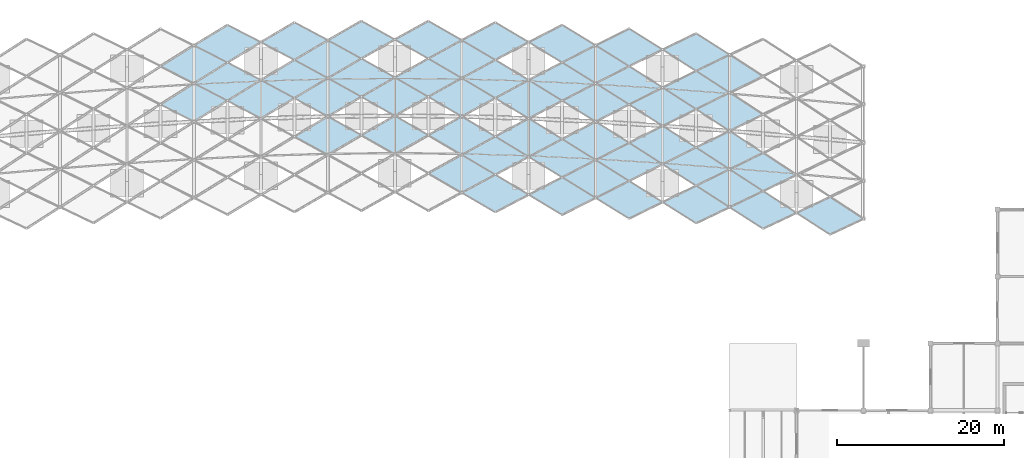
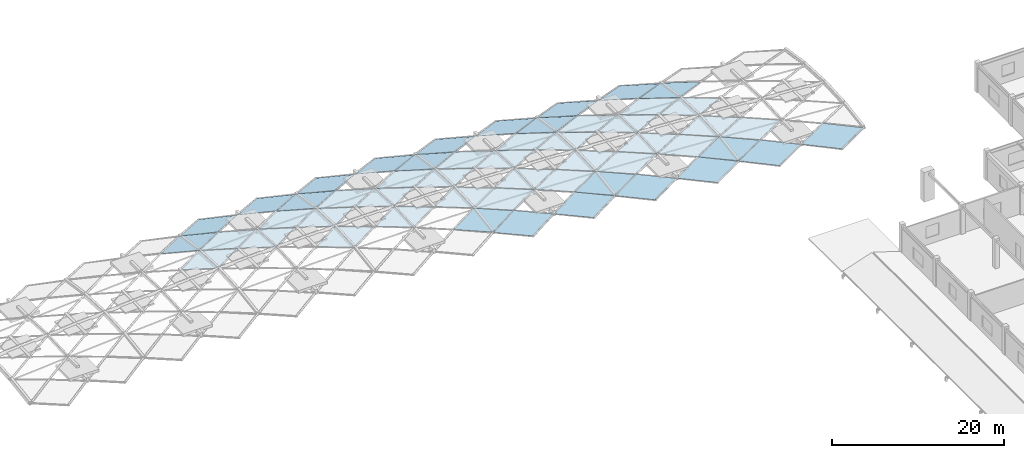
# One storey, part 12 of 27: 51 plates.
"""IFC4 building model written with IfcOpenShell, lengths in metres."""

from ifc_helpers import new_model, si_unit, direction, frame, origin, place, context, subcontext, project, spatial, polyline, outline, extrude, material, layer, layer_set, type_object, element, save


model = new_model("IFC4")

# Units and contexts
model_context = context("Model", 3, precision=1e-05, world=origin(), true_north=direction((0.0, 1.0)))
body_context = subcontext(model_context, "Body", "Model", "MODEL_VIEW")
ifc_project = project(units=[si_unit("LENGTHUNIT", "METRE"), si_unit("AREAUNIT", "SQUARE_METRE"), si_unit("VOLUMEUNIT", "CUBIC_METRE"), si_unit("PLANEANGLEUNIT", "RADIAN"), si_unit("MASSUNIT", "GRAM", prefix="KILO")], contexts=[model_context])

# Site, building, storey
site_placement = place(None, origin())
site = spatial("IfcSite", under=ifc_project, at=site_placement, CompositionType="ELEMENT")
building_placement = place(site_placement, origin())
building = spatial("IfcBuilding", under=site, at=building_placement, Name="Kenh Van Central Station", CompositionType="ELEMENT")
storey_placement = place(building_placement, frame((0.0, 0.0, 19.199951171875)))
storey = spatial("IfcBuildingStorey", under=building, at=storey_placement, Name="L04", CompositionType="ELEMENT", Elevation=19.199951171875)

# Plates
ifc_material = material(Name="Double-glazed low-E laminated solar glass", Category="glass")
ifc_layer_1 = layer(ifc_material, 0.02490234375, Name="Double-glazed low-E laminated solar glass")
ifc_layer_set_1 = layer_set([ifc_layer_1], Name="Double-glazed low-E laminated solar glass")
plate_type_1 = type_object("IfcPlateType", Name="PLT-VAULT-GLZ2", PredefinedType="SHEET", material=ifc_layer_set_1)
plate_1_placement = place(storey_placement, frame((64.01220703125, 99.609130859375, 1.05126953125), z_axis=(-0.009808272955, 0.205803646398, 0.978544151743), x_axis=(0.88678002434, -0.450426453913, 0.103620451871)))
element("IfcPlate", 1, at=plate_1_placement, inside=storey, type_object=plate_type_1, Name="Vault planar diamond skylight pane 083", PredefinedType="SHEET", context=body_context, shape_type="SweptSolid", body=[
    extrude(outline(polyline([(0.0, 0.0), (4.49666197310499, 9.71445146547012e-17), (6.9018040543117305, 4.015888100954346), (2.3889673764537314, 4.044820305833133), (0.0, 0.0)])), origin(), (0.0, 0.0, -1.0), 0.02490234375),
])
plate_2_placement = place(storey_placement, frame((72.011962890625, 95.4609375, 1.746337890625), z_axis=(-0.002935573374, 0.099280726848, 0.995055133993), x_axis=(0.880728913548, -0.471017044718, 0.049593592576)))
element("IfcPlate", 2, at=plate_2_placement, inside=storey, type_object=plate_type_1, Name="Vault planar diamond skylight pane 099", PredefinedType="SHEET", context=body_context, shape_type="SweptSolid", body=[
    extrude(outline(polyline([(0.0, 0.0), (4.528109817051521, -1.1102230246251565e-16), (6.913674594831491, 3.984279605109319), (2.367674023684448, 4.017549829738628), (0.0, 0.0)])), origin(), (0.0, 0.0, -1.0), 0.02490234375),
])
plate_3_placement = place(storey_placement, frame((76.011962890625, 93.312255859375, 1.916015625), z_axis=(-0.000982158633, 0.049288974702, 0.998784076934), x_axis=(0.877269674565, -0.479371181442, 0.024519145413)))
element("IfcPlate", 3, at=plate_3_placement, inside=storey, type_object=plate_type_1, Name="Vault planar diamond skylight pane 108", PredefinedType="SHEET", context=body_context, shape_type="SweptSolid", body=[
    extrude(outline(polyline([(0.0, 0.0), (4.545964977788539, 4.597017211338539e-17), (6.920978913310522, 3.9677539405285693), (2.356246595910517, 4.002054651598261), (0.0, 0.0)])), origin(), (0.0, 0.0, -1.0), 0.02490234375),
])
plate_4_placement = place(storey_placement, frame((84.011962890625, 88.888427734375, 1.9150390625), z_axis=(0.0, -0.04907807121, 0.998794945385), x_axis=(0.869939117834, -0.492564850122, -0.024203299087)))
element("IfcPlate", 4, at=plate_4_placement, inside=storey, type_object=plate_type_1, Name="Vault planar diamond skylight pane 125", PredefinedType="SHEET", context=body_context, shape_type="SweptSolid", body=[
    extrude(outline(polyline([(0.0, 0.0), (4.584271505463959, -1.0321604682062002e-16), (6.93869896963813, 3.9334738529385422), (2.3346524482777475, 3.9683572378433594), (0.0, 0.0)])), origin(), (0.0, 0.0, -1.0), 0.02490234375),
])
plate_5_placement = place(storey_placement, frame((88.011962890625, 100.306640625, 1.051513671875), z_axis=(0.002066835387, 0.205864366135, 0.978578351972), x_axis=(0.86623221459, -0.489304953108, 0.101105950714)))
element("IfcPlate", 5, at=plate_5_placement, inside=storey, type_object=plate_type_1, Name="Vault planar diamond skylight pane 136", PredefinedType="SHEET", context=body_context, shape_type="SweptSolid", body=[
    extrude(outline(polyline([(0.0, 0.0), (4.603888934490568, -1.3877787807814457e-17), (6.948315057442247, 3.9172809845137824), (2.3250005948492056, 3.9509586398749534), (0.0, 0.0)])), origin(), (0.0, 0.0, -1.0), 0.02490234375),
])
plate_6_placement = place(storey_placement, frame((92.01220703125, 84.32861328125, 1.45703125), z_axis=(-0.003007610102, -0.150930283299, 0.988539834233), x_axis=(0.862481319855, -0.500676244274, -0.073819179897)))
element("IfcPlate", 6, at=plate_6_placement, inside=storey, type_object=plate_type_1, Name="Vault planar diamond skylight pane 143", PredefinedType="SHEET", context=body_context, shape_type="SweptSolid", body=[
    extrude(outline(polyline([(0.0, 0.0), (4.623628232474481, 3.3306690738754696e-16), (6.9585797054143095, 3.9009350707977686), (2.315117412395802, 3.93425468590285), (0.0, 0.0)])), origin(), (0.0, 0.0, -1.0), 0.02490234375),
])
plate_7_placement = place(storey_placement, frame((92.011962890625, 98.03125, 1.4599609375), z_axis=(0.003016564729, 0.151147474148, 0.988506621827), x_axis=(0.862488112042, -0.500649701411, 0.073919774506)))
element("IfcPlate", 7, at=plate_7_placement, inside=storey, type_object=plate_type_1, Name="Vault planar diamond skylight pane 146", PredefinedType="SHEET", context=body_context, shape_type="SweptSolid", body=[
    extrude(outline(polyline([(0.0, 0.0), (4.623874868968817, 7.494005416219807e-16), (6.958751889069879, 3.9006378650680245), (2.315464522640714, 3.9342048385183674), (0.0, 0.0)])), origin(), (0.0, 0.0, -1.0), 0.02490234375),
])
plate_8_placement = place(storey_placement, frame((96.01220703125, 82.013671875, 1.047607421875), z_axis=(-0.00608386118, -0.205542652284, 0.978629247839), x_axis=(0.858901962733, -0.502252496011, -0.100149132119)))
element("IfcPlate", 8, at=plate_8_placement, inside=storey, type_object=plate_type_1, Name="Vault planar diamond skylight pane 153", PredefinedType="SHEET", context=body_context, shape_type="SweptSolid", body=[
    extrude(outline(polyline([(0.0, 0.0), (4.642613108953388, 4.579669976578771e-16), (6.96923957180748, 3.886282977530008), (2.3068574810453977, 3.9175352712247298), (0.0, 0.0)])), origin(), (0.0, 0.0, -1.0), 0.02490234375),
])
plate_9_placement = place(storey_placement, frame((96.011962890625, 95.69677734375, 1.746337890625), z_axis=(0.002935573374, 0.099280726848, 0.995055133993), x_axis=(0.858776960702, -0.510062432614, 0.048357487564)))
element("IfcPlate", 9, at=plate_9_placement, inside=storey, type_object=plate_type_1, Name="Vault planar diamond skylight pane 155", PredefinedType="SHEET", context=body_context, shape_type="SweptSolid", body=[
    extrude(outline(polyline([(0.0, 0.0), (4.6438565094837365, -1.6306400674181987e-16), (6.969961820321322, 3.8849726637611663), (2.306751068421566, 3.9174133824568593), (0.0, 0.0)])), origin(), (0.0, 0.0, -1.0), 0.02490234375),
])
plate_10_placement = place(storey_placement, frame((100.011962890625, 93.3115234375, 1.916015625), z_axis=(0.001916138942, 0.049291542711, 0.998782595077), x_axis=(0.855138620731, -0.517847431096, 0.023916049872)))
element("IfcPlate", 10, at=plate_10_placement, inside=storey, type_object=plate_type_1, Name="Vault planar diamond skylight pane 164", PredefinedType="SHEET", context=body_context, shape_type="SweptSolid", body=[
    extrude(outline(polyline([(0.0, 0.0), (4.663614695516297, -2.0209528495129803e-16), (6.981212152533948, 3.869957771846996), (2.298845300730718, 3.900890794733042), (0.0, 0.0)])), origin(), (0.0, 0.0, -1.0), 0.02490234375),
])
plate_11_placement = place(storey_placement, frame((108.011962890625, 88.41748046875, 1.915283203125), z_axis=(-0.002744554058, -0.049131277296, 0.998788558712), x_axis=(0.848468715874, -0.528715672144, -0.02367649072)))
element("IfcPlate", 11, at=plate_11_placement, inside=storey, type_object=plate_type_1, Name="Vault planar diamond skylight pane 182", PredefinedType="SHEET", context=body_context, shape_type="SweptSolid", body=[
    extrude(outline(polyline([(0.0, 0.0), (4.700275825273516, -7.37257477290143e-17), (7.003022228822424, 3.843690976864877), (2.286060275460306, 3.87044154111161), (0.0, 0.0)])), origin(), (0.0, 0.0, -1.0), 0.02490234375),
])
plate_12_placement = place(storey_placement, frame((112.01220703125, 85.923828125, 1.744873046875), z_axis=(-0.006277310408, -0.099120217986, 0.995055665659), x_axis=(0.845520845249, -0.531812750564, -0.047641353743)))
element("IfcPlate", 12, at=plate_12_placement, inside=storey, type_object=plate_type_1, Name="Vault planar diamond skylight pane 192", PredefinedType="SHEET", context=body_context, shape_type="SweptSolid", body=[
    extrude(outline(polyline([(0.0, 0.0), (4.716084482128433, -3.5388358909926865e-16), (7.012569969533845, 3.8336373855874593), (2.2806122053660354, 3.856941972283447), (0.0, 0.0)])), origin(), (0.0, 0.0, -1.0), 0.02490234375),
])
plate_13_placement = place(storey_placement, frame((112.011474609375, 99.607666015625, 1.051025390625), z_axis=(0.013033120909, 0.205796065779, 0.97850810782), x_axis=(0.845968042574, -0.523975553597, 0.098932755832)))
element("IfcPlate", 13, at=plate_13_placement, inside=storey, type_object=plate_type_1, Name="Vault planar diamond skylight pane 194", PredefinedType="SHEET", context=body_context, shape_type="SweptSolid", body=[
    extrude(outline(polyline([(0.0, 0.0), (4.71532347324474, -4.163336342344337e-17), (7.012178069161908, 3.834354170932381), (2.2837518138144426, 3.858809024075736), (0.0, 0.0)])), origin(), (0.0, 0.0, -1.0), 0.02490234375),
])
plate_14_placement = place(storey_placement, frame((120.012451171875, 80.88818359375, 1.048583984375), z_axis=(-0.01559256863, -0.205572726847, 0.97851761649), x_axis=(0.840830830294, -0.532274435581, -0.098424793895)))
element("IfcPlate", 14, at=plate_14_placement, inside=storey, type_object=plate_type_1, Name="Vault planar diamond skylight pane 209", PredefinedType="SHEET", context=body_context, shape_type="SweptSolid", body=[
    extrude(outline(polyline([(0.0, 0.0), (4.741808986939035, 6.800116025829084e-16), (7.028544745382064, 3.8188113429101964), (2.2736392752489434, 3.835548598592623), (0.0, 0.0)])), origin(), (0.0, 0.0, -1.0), 0.02490234375),
])
plate_15_placement = place(storey_placement, frame((120.01171875, 94.57177734375, 1.74609375), z_axis=(0.007530202815, 0.099278339774, 0.995031209208), x_axis=(0.840471963826, -0.53976953556, 0.047494489184)))
element("IfcPlate", 15, at=plate_15_placement, inside=storey, type_object=plate_type_1, Name="Vault planar diamond skylight pane 211", PredefinedType="SHEET", context=body_context, shape_type="SweptSolid", body=[
    extrude(outline(polyline([(0.0, 0.0), (4.745578577550547, -2.671474153004283e-16), (7.030216788897189, 3.8157323296695607), (2.2740215749683323, 3.8340051427562414), (0.0, 0.0)])), origin(), (0.0, 0.0, -1.0), 0.02490234375),
])
plate_16_placement = place(storey_placement, frame((124.011962890625, 91.9931640625, 1.915771484375), z_axis=(0.003974295141, 0.049237854474, 0.998779174125), x_axis=(0.838299963256, -0.544701865107, 0.02351700987)))
element("IfcPlate", 16, at=plate_16_placement, inside=storey, type_object=plate_type_1, Name="Vault planar diamond skylight pane 221", PredefinedType="SHEET", context=body_context, shape_type="SweptSolid", body=[
    extrude(outline(polyline([(0.0, 0.0), (4.757291573867168, 3.434752482434078e-16), (7.037021146941673, 3.809536750262325), (2.270264753625754, 3.824090891466413), (0.0, 0.0)])), origin(), (0.0, 0.0, -1.0), 0.02490234375),
])
ifc_layer_2 = layer(ifc_material, 0.029052734375, Name="Double-glazed low-E laminated solar glass")
ifc_layer_set_2 = layer_set([ifc_layer_2], Name="Double-glazed low-E laminated solar glass")
plate_type_2 = type_object("IfcPlateType", Name="PLT-VAULT-GLZ4", PredefinedType="SHEET", material=ifc_layer_set_2)
plate_17_placement = place(storey_placement, frame((60.011962890625, 92.554931640625, 1.916015625), z_axis=(-0.002753501364, 0.049291446341, 0.998780642357), x_axis=(0.890048108625, -0.455185088065, 0.024917863813)))
element("IfcPlate", 17, at=plate_17_placement, inside=storey, type_object=plate_type_2, Name="Vault planar diamond skylight pane 072", PredefinedType="SHEET", context=body_context, shape_type="SweptSolid", body=[
    extrude(outline(polyline([(0.0, 0.0), (4.4806981308204685, 1.6653345369377348e-16), (6.896279033947815, 4.032073430500151), (2.4012026557135138, 4.060145545661785), (0.0, 0.0)])), origin(), (0.0, 0.0, -1.0), 0.029052734375),
])
plate_18_placement = place(storey_placement, frame((72.01220703125, 99.990234375, 1.051513671875), z_axis=(-0.006085466927, 0.205809735524, 0.978573103992), x_axis=(0.880502991343, -0.46275950018, 0.10280139702)))
element("IfcPlate", 18, at=plate_18_placement, inside=storey, type_object=plate_type_2, Name="Vault planar diamond skylight pane 100", PredefinedType="SHEET", context=body_context, shape_type="SweptSolid", body=[
    extrude(outline(polyline([(0.0, 0.0), (4.5287170828287975, -5.551115123125783e-17), (6.913820080566924, 3.984027142033299), (2.3667442913661496, 4.0160704013012705), (0.0, 0.0)])), origin(), (0.0, 0.0, -1.0), 0.029052734375),
])
plate_19_placement = place(storey_placement, frame((76.01220703125, 97.8720703125, 1.4599609375), z_axis=(-0.003016564729, 0.151147474148, 0.988506621827), x_axis=(0.877198355412, -0.474204853019, 0.075185122427)))
element("IfcPlate", 19, at=plate_19_placement, inside=storey, type_object=plate_type_2, Name="Vault planar diamond skylight pane 109", PredefinedType="SHEET", context=body_context, shape_type="SweptSolid", body=[
    extrude(outline(polyline([(0.0, 0.0), (4.546056142789974, -1.249000902703301e-16), (6.920901247266037, 3.9674084152791056), (2.3560140978311104, 4.001305022085715), (0.0, 0.0)])), origin(), (0.0, 0.0, -1.0), 0.029052734375),
])
plate_20_placement = place(storey_placement, frame((80.011962890625, 95.697265625, 1.746337890625), z_axis=(-0.000997293669, 0.099334098107, 0.99505363793), x_axis=(0.873642815637, -0.48407398313, 0.049199690463)))
element("IfcPlate", 20, at=plate_20_placement, inside=storey, type_object=plate_type_2, Name="Vault planar diamond skylight pane 118", PredefinedType="SHEET", context=body_context, shape_type="SweptSolid", body=[
    extrude(outline(polyline([(0.0, 0.0), (4.564837092278807, 1.5959455978986625e-16), (6.929476201271955, 3.950510349957021), (2.345301418486686, 3.985231741981312), (0.0, 0.0)])), origin(), (0.0, 0.0, -1.0), 0.029052734375),
])
plate_21_placement = place(storey_placement, frame((84.011962890625, 93.471435546875, 1.916015625), z_axis=(0.0, 0.0492916332, 0.998784428641), x_axis=(0.869935746334, -0.492565603786, 0.024308912286)))
element("IfcPlate", 21, at=plate_21_placement, inside=storey, type_object=plate_type_2, Name="Vault planar diamond skylight pane 126", PredefinedType="SHEET", context=body_context, shape_type="SweptSolid", body=[
    extrude(outline(polyline([(0.0, 0.0), (4.584289272144528, -1.1709383462843448e-16), (6.9386720783054, 3.9335212892208244), (2.334619397614251, 3.968383643069111), (0.0, 0.0)])), origin(), (0.0, 0.0, -1.0), 0.029052734375),
])
plate_22_placement = place(storey_placement, frame((92.011962890625, 88.88818359375, 1.9150390625), z_axis=(-0.000977903314, -0.049075424379, 0.998794596715), x_axis=(0.862419958348, -0.505624217767, -0.023999288549)))
element("IfcPlate", 22, at=plate_22_placement, inside=storey, type_object=plate_type_2, Name="Vault planar diamond skylight pane 144", PredefinedType="SHEET", context=body_context, shape_type="SweptSolid", body=[
    extrude(outline(polyline([(0.0, 0.0), (4.624240437052589, 4.570996359198887e-16), (6.959087257075578, 3.9005288102355045), (2.3150431412046957, 3.9342696478271773), (0.0, 0.0)])), origin(), (0.0, 0.0, -1.0), 0.029052734375),
])
plate_23_placement = place(storey_placement, frame((96.011962890625, 86.542236328125, 1.74462890625), z_axis=(-0.002933750298, -0.099116465617, 0.995071514693), x_axis=(0.858756040094, -0.510105147353, -0.04827838281)))
element("IfcPlate", 23, at=plate_23_placement, inside=storey, type_object=plate_type_2, Name="Vault planar diamond skylight pane 154", PredefinedType="SHEET", context=body_context, shape_type="SweptSolid", body=[
    extrude(outline(polyline([(0.0, 0.0), (4.64396923669369, 7.494005416219807e-16), (6.969929567223431, 3.885045356058457), (2.306616558544461, 3.917464160028084), (0.0, 0.0)])), origin(), (0.0, 0.0, -1.0), 0.029052734375),
])
plate_24_placement = place(storey_placement, frame((96.01171875, 100.22607421875, 1.051513671875), z_axis=(0.006085466927, 0.205809735524, 0.978573103992), x_axis=(0.858966052107, -0.502120287885, 0.100262344989)))
element("IfcPlate", 24, at=plate_24_placement, inside=storey, type_object=plate_type_2, Name="Vault planar diamond skylight pane 156", PredefinedType="SHEET", context=body_context, shape_type="SweptSolid", body=[
    extrude(outline(polyline([(0.0, 0.0), (4.643402693960262, -6.938893903907228e-17), (6.969596953228888, 3.885627193189159), (2.308131253630646, 3.917838066997382), (0.0, 0.0)])), origin(), (0.0, 0.0, -1.0), 0.029052734375),
])
plate_25_placement = place(storey_placement, frame((104.01220703125, 81.776611328125, 1.0478515625), z_axis=(-0.009791696311, -0.205587865352, 0.978589675146), x_axis=(0.852017392149, -0.513979703762, -0.09945465096)))
element("IfcPlate", 25, at=plate_25_placement, inside=storey, type_object=plate_type_2, Name="Vault planar diamond skylight pane 171", PredefinedType="SHEET", context=body_context, shape_type="SweptSolid", body=[
    extrude(outline(polyline([(0.0, 0.0), (4.6801276005504295, 4.3021142204224816e-16), (6.991006010875184, 3.8584849164080444), (2.2926529330184238, 3.8862912255469375), (0.0, 0.0)])), origin(), (0.0, 0.0, -1.0), 0.029052734375),
])
plate_26_placement = place(storey_placement, frame((104.011962890625, 95.4599609375, 1.746337890625), z_axis=(0.004734198612, 0.099333034329, 0.995042981813), x_axis=(0.851765994244, -0.521716279273, 0.048029313874)))
element("IfcPlate", 26, at=plate_26_placement, inside=storey, type_object=plate_type_2, Name="Vault planar diamond skylight pane 173", PredefinedType="SHEET", context=body_context, shape_type="SweptSolid", body=[
    extrude(outline(polyline([(0.0, 0.0), (4.682367522083065, -2.1510571102112408e-16), (6.991859256052545, 3.856457711315903), (2.2925014403484254, 3.885479475676788), (0.0, 0.0)])), origin(), (0.0, 0.0, -1.0), 0.029052734375),
])
plate_27_placement = place(storey_placement, frame((108.011962890625, 93.00048828125, 1.916015625), z_axis=(0.002753501364, 0.049291446341, 0.998780642357), x_axis=(0.848467740834, -0.528713770389, 0.023753773706)))
element("IfcPlate", 27, at=plate_27_placement, inside=storey, type_object=plate_type_2, Name="Vault planar diamond skylight pane 183", PredefinedType="SHEET", context=body_context, shape_type="SweptSolid", body=[
    extrude(outline(polyline([(0.0, 0.0), (4.70028161374388, 1.6740081543176188e-16), (7.003013604490954, 3.8437066899450145), (2.2860400100839446, 3.870467770451661), (0.0, 0.0)])), origin(), (0.0, 0.0, -1.0), 0.029052734375),
])
plate_28_placement = place(storey_placement, frame((116.011962890625, 87.970458984375, 1.915283203125), z_axis=(-0.003436913422, -0.049075157995, 0.998789175199), x_axis=(0.842749638528, -0.537791462834, -0.023524227181)))
element("IfcPlate", 28, at=plate_28_placement, inside=storey, type_object=plate_type_2, Name="Vault planar diamond skylight pane 201", PredefinedType="SHEET", context=body_context, shape_type="SweptSolid", body=[
    extrude(outline(polyline([(0.0, 0.0), (4.732172998419073, 2.445960101127298e-16), (7.022240614664583, 3.823339334966578), (2.2765153355307195, 3.844556574647212), (0.0, 0.0)])), origin(), (0.0, 0.0, -1.0), 0.029052734375),
])
plate_29_placement = place(storey_placement, frame((120.01220703125, 85.4169921875, 1.744873046875), z_axis=(-0.007521763782, -0.099167079399, 0.995042367657), x_axis=(0.840413575517, -0.5398642988, -0.047450616099)))
element("IfcPlate", 29, at=plate_29_placement, inside=storey, type_object=plate_type_2, Name="Vault planar diamond skylight pane 210", PredefinedType="SHEET", context=body_context, shape_type="SweptSolid", body=[
    extrude(outline(polyline([(0.0, 0.0), (4.744746245109748, 7.147060721024445e-16), (7.029808409316933, 3.816484644129245), (2.272670341979999, 3.833902000772849), (0.0, 0.0)])), origin(), (0.0, 0.0, -1.0), 0.029052734375),
])
plate_30_placement = place(storey_placement, frame((120.011474609375, 99.100830078125, 1.05078125), z_axis=(0.015604228944, 0.205726456664, 0.978485121536), x_axis=(0.840924615633, -0.532118379206, 0.098467361774)))
element("IfcPlate", 30, at=plate_30_placement, inside=storey, type_object=plate_type_2, Name="Vault planar diamond skylight pane 212", PredefinedType="SHEET", context=body_context, shape_type="SweptSolid", body=[
    extrude(outline(polyline([(0.0, 0.0), (4.743605293091253, -3.7470027081099033e-16), (7.0291983731418375, 3.8176080916717394), (2.2760201208071904, 3.8361038020991165), (0.0, 0.0)])), origin(), (0.0, 0.0, -1.0), 0.029052734375),
])
plate_31_placement = place(storey_placement, frame((124.012451171875, 82.850341796875, 1.4580078125), z_axis=(-0.012181922805, -0.150980052371, 0.988461746626), x_axis=(0.838527440662, -0.54006040327, -0.072156025926)))
element("IfcPlate", 31, at=plate_31_placement, inside=storey, type_object=plate_type_2, Name="Vault planar diamond skylight pane 219", PredefinedType="SHEET", context=body_context, shape_type="SweptSolid", body=[
    extrude(outline(polyline([(0.0, 0.0), (4.754833576047268, 7.840950111415168e-16), (7.035715505234113, 3.8119063351845277), (2.26998793710085, 3.825082846737526), (0.0, 0.0)])), origin(), (0.0, 0.0, -1.0), 0.029052734375),
])
plate_32_placement = place(storey_placement, frame((124.011474609375, 96.552978515625, 1.459228515625), z_axis=(0.012194611715, 0.15108462622, 0.988445611637), x_axis=(0.838634612614, -0.539891242937, 0.072176397292)))
element("IfcPlate", 32, at=plate_32_placement, inside=storey, type_object=plate_type_2, Name="Vault planar diamond skylight pane 222", PredefinedType="SHEET", context=body_context, shape_type="SweptSolid", body=[
    extrude(outline(polyline([(0.0, 0.0), (4.756266701339865, -1.734723475976807e-16), (7.036798006917683, 3.8104599868043687), (2.2721345393881895, 3.8256341765757234), (0.0, 0.0)])), origin(), (0.0, 0.0, -1.0), 0.029052734375),
])
plate_33_placement = place(storey_placement, frame((128.012451171875, 80.28125, 1.048828125), z_axis=(-0.017383430379, -0.205617911112, 0.978477946087), x_axis=(0.837174160667, -0.53804976931, -0.098193026513)))
element("IfcPlate", 33, at=plate_33_placement, inside=storey, type_object=plate_type_2, Name="Vault planar diamond skylight pane 229", PredefinedType="SHEET", context=body_context, shape_type="SweptSolid", body=[
    extrude(outline(polyline([(0.0, 0.0), (4.762524717361917, 4.85722573273506e-16), (7.040179026328111, 3.8089817321688626), (2.268769458532369, 3.8190230988324703), (0.0, 0.0)])), origin(), (0.0, 0.0, -1.0), 0.029052734375),
])
ifc_layer_3 = layer(ifc_material, 0.034912109375, Name="Double-glazed low-E laminated solar glass")
ifc_layer_set_3 = layer_set([ifc_layer_3], Name="Double-glazed low-E laminated solar glass")
plate_type_3 = type_object("IfcPlateType", Name="PLT-VAULT-GLZ6", PredefinedType="SHEET", material=ifc_layer_set_3)
plate_34_placement = place(storey_placement, frame((60.01220703125, 97.11474609375, 1.459716796875), z_axis=(-0.008440162991, 0.151090479406, 0.98848390512), x_axis=(0.889789764305, -0.449935260161, 0.076370393495)))
element("IfcPlate", 34, at=plate_34_placement, inside=storey, type_object=plate_type_3, Name="Vault planar diamond skylight pane 073", PredefinedType="SHEET", context=body_context, shape_type="SweptSolid", body=[
    extrude(outline(polyline([(0.0, 0.0), (4.4814508851897115, -1.1102230246251565e-16), (6.896557556162155, 4.031597020729645), (2.400042696530575, 4.058833502770175), (0.0, 0.0)])), origin(), (0.0, 0.0, -1.0), 0.034912109375),
])
plate_35_placement = place(storey_placement, frame((64.01220703125, 95.079833984375, 1.746337890625), z_axis=(-0.004734198612, 0.099333034329, 0.995042981813), x_axis=(0.887085795954, -0.458885364863, 0.050030116241)))
element("IfcPlate", 35, at=plate_35_placement, inside=storey, type_object=plate_type_3, Name="Vault planar diamond skylight pane 082", PredefinedType="SHEET", context=body_context, shape_type="SweptSolid", body=[
    extrude(outline(polyline([(0.0, 0.0), (4.495110471216614, 2.949029909160572e-16), (6.900810877669847, 4.017109802612949), (2.3895312233474137, 4.046596925253839), (0.0, 0.0)])), origin(), (0.0, 0.0, -1.0), 0.034912109375),
])
plate_36_placement = place(storey_placement, frame((68.011962890625, 93.00146484375, 1.916015625), z_axis=(-0.001916138942, 0.049291542711, 0.998782595077), x_axis=(0.884097446559, -0.466647974608, 0.024725953615)))
element("IfcPlate", 36, at=plate_36_placement, inside=storey, type_object=plate_type_3, Name="Vault planar diamond skylight pane 090", PredefinedType="SHEET", context=body_context, shape_type="SweptSolid", body=[
    extrude(outline(polyline([(0.0, 0.0), (4.51085702817698, 4.7704895589362195e-17), (6.906938635579826, 4.001011741909959), (2.379178047364456, 4.032992438092294), (0.0, 0.0)])), origin(), (0.0, 0.0, -1.0), 0.034912109375),
])
plate_37_placement = place(storey_placement, frame((76.011962890625, 88.729248046875, 1.9150390625), z_axis=(0.000977903314, -0.049075424379, 0.998794596715), x_axis=(0.877273078852, -0.479370388196, -0.02441262054)))
element("IfcPlate", 37, at=plate_37_placement, inside=storey, type_object=plate_type_3, Name="Vault planar diamond skylight pane 107", PredefinedType="SHEET", context=body_context, shape_type="SweptSolid", body=[
    extrude(outline(polyline([(0.0, 0.0), (4.54594706001386, -6.158268339717665e-17), (6.9210061922337225, 3.967706357346943), (2.356280085419021, 4.0020280300535225), (0.0, 0.0)])), origin(), (0.0, 0.0, -1.0), 0.034912109375),
])
plate_38_placement = place(storey_placement, frame((80.011962890625, 100.2265625, 1.051513671875), z_axis=(-0.002066835387, 0.205864366135, 0.978578351972), x_axis=(0.873565585919, -0.475906441378, 0.101961885789)))
element("IfcPlate", 38, at=plate_38_placement, inside=storey, type_object=plate_type_3, Name="Vault planar diamond skylight pane 119", PredefinedType="SHEET", context=body_context, shape_type="SweptSolid", body=[
    extrude(outline(polyline([(0.0, 0.0), (4.56524086523499, 1.249000902703301e-16), (6.92951425273177, 3.9504436042423383), (2.345351467281887, 3.9844067688190825), (0.0, 0.0)])), origin(), (0.0, 0.0, -1.0), 0.034912109375),
])
plate_39_placement = place(storey_placement, frame((88.011962890625, 95.77734375, 1.746337890625), z_axis=(0.000997293669, 0.099334098107, 0.99505363793), x_axis=(0.866186141611, -0.497335000468, 0.048779764148)))
element("IfcPlate", 39, at=plate_39_placement, inside=storey, type_object=plate_type_3, Name="Vault planar diamond skylight pane 135", PredefinedType="SHEET", context=body_context, shape_type="SweptSolid", body=[
    extrude(outline(polyline([(0.0, 0.0), (4.604134027251754, 1.942890293094024e-16), (6.948590607076424, 3.9167921854958347), (2.32459604605948, 3.9512171842146437), (0.0, 0.0)])), origin(), (0.0, 0.0, -1.0), 0.034912109375),
])
plate_40_placement = place(storey_placement, frame((92.011962890625, 93.47119140625, 1.916015625), z_axis=(0.000982158633, 0.049288974702, 0.998784076934), x_axis=(0.862416620725, -0.505624929026, 0.024104013032)))
element("IfcPlate", 40, at=plate_40_placement, inside=storey, type_object=plate_type_3, Name="Vault planar diamond skylight pane 145", PredefinedType="SHEET", context=body_context, shape_type="SweptSolid", body=[
    extrude(outline(polyline([(0.0, 0.0), (4.624258051461187, -2.8536201179818477e-16), (6.959060748994704, 3.900576103971073), (2.315010530361774, 3.9342958598216784), (0.0, 0.0)])), origin(), (0.0, 0.0, -1.0), 0.034912109375),
])
plate_41_placement = place(storey_placement, frame((100.011962890625, 88.728515625, 1.9150390625), z_axis=(-0.001907837068, -0.049077981892, 0.998793127655), x_axis=(0.855141925437, -0.517846762383, -0.023812140778)))
element("IfcPlate", 41, at=plate_41_placement, inside=storey, type_object=plate_type_3, Name="Vault planar diamond skylight pane 163", PredefinedType="SHEET", context=body_context, shape_type="SweptSolid", body=[
    extrude(outline(polyline([(0.0, 0.0), (4.663597225934564, 2.983724378680108e-16), (6.981238303775231, 3.869910595927018), (2.298877496273347, 3.900864733587944), (0.0, 0.0)])), origin(), (0.0, 0.0, -1.0), 0.034912109375),
])
plate_42_placement = place(storey_placement, frame((104.01220703125, 86.305419921875, 1.74462890625), z_axis=(-0.004724096177, -0.099121064876, 0.995064167485), x_axis=(0.851727317602, -0.521788260675, -0.047933156304)))
element("IfcPlate", 42, at=plate_42_placement, inside=storey, type_object=plate_type_3, Name="Vault planar diamond skylight pane 172", PredefinedType="SHEET", context=body_context, shape_type="SweptSolid", body=[
    extrude(outline(polyline([(0.0, 0.0), (4.681720260093083, -1.1102230246251565e-16), (6.99157813979364, 3.856967338567342), (2.291617831396477, 3.885220324354659), (0.0, 0.0)])), origin(), (0.0, 0.0, -1.0), 0.034912109375),
])
plate_43_placement = place(storey_placement, frame((104.01171875, 99.9892578125, 1.05126953125), z_axis=(0.009808272955, 0.205803646398, 0.978544151743), x_axis=(0.852060772492, -0.513891419881, 0.099539180996)))
element("IfcPlate", 43, at=plate_43_placement, inside=storey, type_object=plate_type_3, Name="Vault planar diamond skylight pane 174", PredefinedType="SHEET", context=body_context, shape_type="SweptSolid", body=[
    extrude(outline(polyline([(0.0, 0.0), (4.681032543165896, -8.326672684688674e-16), (6.991443939956234, 3.857715396183314), (2.293900929592801, 3.886457317238007), (0.0, 0.0)])), origin(), (0.0, 0.0, -1.0), 0.034912109375),
])
plate_44_placement = place(storey_placement, frame((108.01220703125, 83.857666015625, 1.457275390625), z_axis=(-0.008426779094, -0.150933592659, 0.988507986817), x_axis=(0.84866089689, -0.523909002184, -0.072760150632)))
element("IfcPlate", 44, at=plate_44_placement, inside=storey, type_object=plate_type_3, Name="Vault planar diamond skylight pane 181", PredefinedType="SHEET", context=body_context, shape_type="SweptSolid", body=[
    extrude(outline(polyline([(0.0, 0.0), (4.698636989456696, 2.983724378680108e-16), (7.002285527681064, 3.845004623468351), (2.2862202447972155, 3.871127207168743), (0.0, 0.0)])), origin(), (0.0, 0.0, -1.0), 0.034912109375),
])
plate_45_placement = place(storey_placement, frame((108.01171875, 97.560302734375, 1.459716796875), z_axis=(0.008440162991, 0.151090479406, 0.98848390512), x_axis=(0.848689313218, -0.523853967472, 0.072824929753)))
element("IfcPlate", 45, at=plate_45_placement, inside=storey, type_object=plate_type_3, Name="Vault planar diamond skylight pane 184", PredefinedType="SHEET", context=body_context, shape_type="SweptSolid", body=[
    extrude(outline(polyline([(0.0, 0.0), (4.699629216196928, -2.0122792321330962e-16), (7.002615564812629, 3.844431806451684), (2.2873626874062625, 3.8713511394735494), (0.0, 0.0)])), origin(), (0.0, 0.0, -1.0), 0.034912109375),
])
plate_46_placement = place(storey_placement, frame((112.012451171875, 81.395263671875, 1.048095703125), z_axis=(-0.013022701859, -0.205631546517, 0.978542833152), x_axis=(0.845836385841, -0.524194624791, -0.098897946026)))
element("IfcPlate", 46, at=plate_46_placement, inside=storey, type_object=plate_type_3, Name="Vault planar diamond skylight pane 191", PredefinedType="SHEET", context=body_context, shape_type="SweptSolid", body=[
    extrude(outline(polyline([(0.0, 0.0), (4.713750975009241, -3.191891195797325e-16), (7.0112386240509625, 3.836071706628768), (2.2811786523331437, 3.8582825992021634), (0.0, 0.0)])), origin(), (0.0, 0.0, -1.0), 0.034912109375),
])
plate_47_placement = place(storey_placement, frame((112.01171875, 95.07861328125, 1.74609375), z_axis=(0.00629041702, 0.099279190366, 0.995039734389), x_axis=(0.845554671814, -0.531752834032, 0.047709752382)))
element("IfcPlate", 47, at=plate_47_placement, inside=storey, type_object=plate_type_3, Name="Vault planar diamond skylight pane 193", PredefinedType="SHEET", context=body_context, shape_type="SweptSolid", body=[
    extrude(outline(polyline([(0.0, 0.0), (4.717051680167795, -8.465450562766819e-16), (7.01293932974069, 3.8329938485187656), (2.2817854982866272, 3.857158030866819), (0.0, 0.0)])), origin(), (0.0, 0.0, -1.0), 0.034912109375),
])
plate_48_placement = place(storey_placement, frame((116.011962890625, 92.553466796875, 1.916015625), z_axis=(0.003448314385, 0.049237950591, 0.998781123845), x_axis=(0.842748706507, -0.537789500032, 0.023602358696)))
element("IfcPlate", 48, at=plate_48_placement, inside=storey, type_object=plate_type_3, Name="Vault planar diamond skylight pane 202", PredefinedType="SHEET", context=body_context, shape_type="SweptSolid", body=[
    extrude(outline(polyline([(0.0, 0.0), (4.732178746838478, 4.909267437014364e-16), (7.022232084389971, 3.8233550022868097), (2.276626544788938, 3.844377314183166), (0.0, 0.0)])), origin(), (0.0, 0.0, -1.0), 0.034912109375),
])
plate_49_placement = place(storey_placement, frame((124.011962890625, 87.41015625, 1.915283203125), z_axis=(-0.003965676383, -0.049131076003, 0.99878446663), x_axis=(0.838300973993, -0.544702513205, -0.023465913802)))
element("IfcPlate", 49, at=plate_49_placement, inside=storey, type_object=plate_type_3, Name="Vault planar diamond skylight pane 220", PredefinedType="SHEET", context=body_context, shape_type="SweptSolid", body=[
    extrude(outline(polyline([(0.0, 0.0), (4.757285841782437, 9.627715291671279e-17), (7.037029625894341, 3.809521087799475), (2.27027900332753, 3.824075238485882), (0.0, 0.0)])), origin(), (0.0, 0.0, -1.0), 0.034912109375),
])
plate_50_placement = place(storey_placement, frame((128.01220703125, 84.81005859375, 1.7451171875), z_axis=(-0.008384211253, -0.099171680528, 0.995035015858), x_axis=(0.836717467554, -0.545586003832, -0.04732643989)))
element("IfcPlate", 50, at=plate_50_placement, inside=storey, type_object=plate_type_3, Name="Vault planar diamond skylight pane 230", PredefinedType="SHEET", context=body_context, shape_type="SweptSolid", body=[
    extrude(outline(polyline([(0.0, 0.0), (4.765704826374152, 1.8041124150158794e-16), (7.04161821474117, 3.8063204642504433), (2.267845725701839, 3.816863547055009), (0.0, 0.0)])), origin(), (0.0, 0.0, -1.0), 0.034912109375),
])
plate_51_placement = place(storey_placement, frame((136.012451171875, 79.604736328125, 1.04931640625), z_axis=(-0.018301462713, -0.205614542057, 0.978461913698), x_axis=(0.83507772086, -0.541308991793, -0.098131419674)))
element("IfcPlate", 51, at=plate_51_placement, inside=storey, type_object=plate_type_3, Name="Vault planar diamond skylight pane 247", PredefinedType="SHEET", context=body_context, shape_type="SweptSolid", body=[
    extrude(outline(polyline([(0.0, 0.0), (4.774478867392709, -1.3877787807814457e-17), (7.045153995690827, 3.806770846778166), (2.2662334544674274, 3.809521973803966), (0.0, 0.0)])), origin(), (0.0, 0.0, -1.0), 0.034912109375),
])

save(model, "model.ifc")
